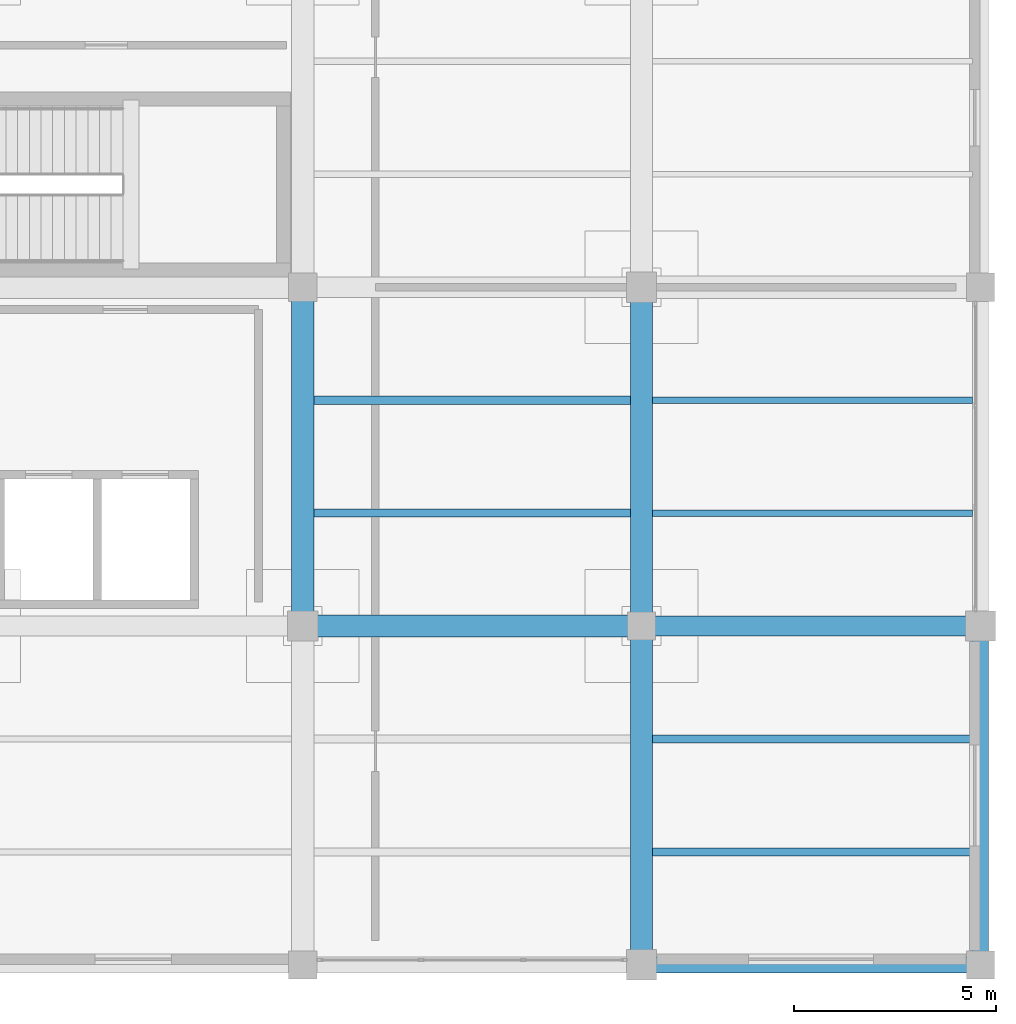
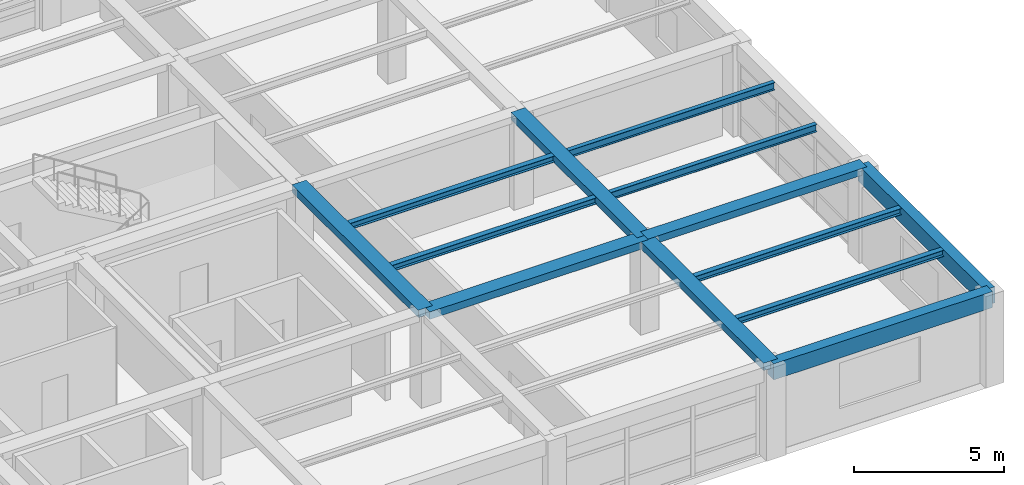
# One storey, part 11 of 26: 13 beams.
"""IFC4 building model written with IfcOpenShell, lengths in metres."""

from ifc_helpers import new_model, si_unit, direction, frame, origin, origin_2d, place, context, subcontext, project, spatial, rectangle, i_section, extrude, material, material_profile, profile_set, type_object, element, save


model = new_model("IFC4")

# Units and contexts
model_context = context("Model", 3, precision=1e-05, world=origin(), true_north=direction((0.0, 1.0)))
body_context = subcontext(model_context, "Body", "Model", "MODEL_VIEW")
ifc_project = project(units=[si_unit("LENGTHUNIT", "METRE"), si_unit("AREAUNIT", "SQUARE_METRE"), si_unit("VOLUMEUNIT", "CUBIC_METRE"), si_unit("PLANEANGLEUNIT", "RADIAN"), si_unit("MASSUNIT", "GRAM", prefix="KILO")], contexts=[model_context])

# Site, building, storey
site_placement = place(None, origin())
site = spatial("IfcSite", under=ifc_project, at=site_placement, CompositionType="ELEMENT")
building_placement = place(site_placement, origin())
building = spatial("IfcBuilding", under=site, at=building_placement, Name="Almacenes y Pasaje Nevantli", CompositionType="ELEMENT")
storey_placement = place(building_placement, frame((0.0, 0.0, 30.699951171875)))
storey = spatial("IfcBuildingStorey", under=building, at=storey_placement, Name="L07", CompositionType="ELEMENT", Elevation=30.699951171875)

# Beams
ifc_material_1 = material(Name="Concrete C35/45", Category="concrete")
ifc_material_profile_1 = material_profile(ifc_material_1, rectangle(XDim=0.39990234375, YDim=0.64990234375, at=origin_2d()), Name="RC-BM-400x650")
ifc_profile_set_1 = profile_set([ifc_material_profile_1], Name="Concrete C35/45")
beam_type_1 = type_object("IfcBeamType", Name="BM-RC-400x650", PredefinedType="SPANDREL", material=ifc_profile_set_1)
for number, where, z_axis, x_axis, name in (
    (1, (151.199951171875, 67.199951171875, 3.39501953125), (1.0, 0.0, 0.0), (0.0, 1.0, 0.0), "L07 East-West Reinforced Concrete Beam #3634"),
    (2, (159.60009765625, 67.199951171875, 3.39501953125), (0.0, 1.0, 0.0), (-1.0, 0.0, 0.0), "L07 North-South Reinforced Concrete Beam #3681"),
):
    element("IfcBeam", number, at=place(storey_placement, frame(where, z_axis=z_axis, x_axis=x_axis)), inside=storey, type_object=beam_type_1, Name=name, PredefinedType="SPANDREL", context=body_context, shape_type="SweptSolid", body=[
        extrude(rectangle(XDim=0.39990234375, YDim=0.64990234375, at=origin_2d()), origin(), (0.0, 0.0, 1.0), 8.400146484375),
    ])
ifc_material_2 = material(Name="Concrete C35/45", Category="concrete")
ifc_material_profile_2 = material_profile(ifc_material_2, rectangle(XDim=0.5, YDim=0.280029296875, at=origin_2d()), Name="RC-BM-500x280")
ifc_profile_set_2 = profile_set([ifc_material_profile_2], Name="Concrete C35/45")
beam_type_2 = type_object("IfcBeamType", Name="BM-RC-500x280", PredefinedType="BEAM", material=ifc_profile_set_2)
beam_1_placement = place(storey_placement, frame((151.199951171875, 75.60009765625, 3.580078125), z_axis=(1.0, 0.0, 0.0), x_axis=(0.0, 1.0, 0.0)))
element("IfcBeam", 3, at=beam_1_placement, inside=storey, type_object=beam_type_2, Name="L07 East-West Reinforced Concrete Beam #3640", PredefinedType="BEAM", context=body_context, shape_type="SweptSolid", body=[
    extrude(rectangle(XDim=0.5, YDim=0.280029296875, at=origin_2d()), origin(), (0.0, 0.0, 1.0), 8.400146484375),
])
ifc_material_3 = material(Name="Concrete C35/45", Category="concrete")
ifc_material_profile_3 = material_profile(ifc_material_3, rectangle(XDim=0.550048828125, YDim=0.300048828125, at=origin_2d()), Name="RC-BM-550x300")
ifc_profile_set_3 = profile_set([ifc_material_profile_3], Name="Concrete C35/45")
beam_type_3 = type_object("IfcBeamType", Name="BM-RC-550x300", PredefinedType="BEAM", material=ifc_profile_set_3)
for number, where, z_axis, x_axis, name in (
    (4, (142.800048828125, 75.60009765625, 3.570068359375), (1.0, 0.0, 0.0), (0.0, 1.0, 0.0), "L07 East-West Reinforced Concrete Beam #3639"),
    (5, (142.800048828125, 75.60009765625, 3.570068359375), (0.0, 1.0, 0.0), (-1.0, 0.0, 0.0), "L07 North-South Reinforced Concrete Beam #3674"),
):
    element("IfcBeam", number, at=place(storey_placement, frame(where, z_axis=z_axis, x_axis=x_axis)), inside=storey, type_object=beam_type_3, Name=name, PredefinedType="BEAM", context=body_context, shape_type="SweptSolid", body=[
        extrude(rectangle(XDim=0.550048828125, YDim=0.300048828125, at=origin_2d()), origin(), (0.0, 0.0, 1.0), 8.39990234375),
    ])
beam_2_placement = place(storey_placement, frame((151.199951171875, 67.199951171875, 3.570068359375), z_axis=(0.0, 1.0, 0.0), x_axis=(-1.0, 0.0, 0.0)))
element("IfcBeam", 6, at=beam_2_placement, inside=storey, type_object=beam_type_3, Name="L07 North-South Reinforced Concrete Beam #3677", PredefinedType="BEAM", context=body_context, shape_type="SweptSolid", body=[
    extrude(rectangle(XDim=0.550048828125, YDim=0.300048828125, at=origin_2d()), origin(), (0.0, 0.0, 1.0), 8.400146484375),
])
beam_3_placement = place(storey_placement, frame((151.199951171875, 75.60009765625, 3.570068359375), z_axis=(0.0, 1.0, 0.0), x_axis=(-1.0, 0.0, 0.0)))
element("IfcBeam", 7, at=beam_3_placement, inside=storey, type_object=beam_type_3, Name="L07 North-South Reinforced Concrete Beam #3678", PredefinedType="BEAM", context=body_context, shape_type="SweptSolid", body=[
    extrude(rectangle(XDim=0.550048828125, YDim=0.300048828125, at=origin_2d()), origin(), (0.0, 0.0, 1.0), 8.39990234375),
])
ifc_material_4 = material(Name="Steel ASTM A992", Category="steel")
ifc_material_profile_4 = material_profile(ifc_material_4, i_section(OverallWidth=0.2041015625, OverallDepth=0.258056640625, WebThickness=0.008056640625, FlangeThickness=0.013427734375, at=origin_2d()), Name="IR 254x58.0")
ifc_profile_set_4 = profile_set([ifc_material_profile_4], Name="Steel ASTM A992")
beam_type_4 = type_object("IfcBeamType", Name="BM-STL-IR-254x58p0", PredefinedType="JOIST", material=ifc_profile_set_4)
for number, where, z_axis, x_axis, name in (
    (8, (143.074951171875, 78.39990234375, 3.5830078125), (1.0, 0.0, 0.0), (0.0, 1.0, 0.0), "L07 Secondary Steel Floor Joist #1407"),
    (9, (143.074951171875, 81.199951171875, 3.5830078125), (1.0, 0.0, 0.0), (0.0, 1.0, 0.0), "L07 Secondary Steel Floor Joist #1408"),
):
    element("IfcBeam", number, at=place(storey_placement, frame(where, z_axis=z_axis, x_axis=x_axis)), inside=storey, type_object=beam_type_4, Name=name, PredefinedType="JOIST", context=body_context, shape_type="SweptSolid", body=[
        extrude(i_section(OverallWidth=0.2041015625, OverallDepth=0.258056640625, WebThickness=0.008056640625, FlangeThickness=0.013427734375, at=origin_2d()), origin(), (0.0, 0.0, 1.0), 7.85009765625),
    ])
for number, where, z_axis, x_axis, name in (
    (10, (151.47509765625, 70.0, 3.5830078125), (1.0, 0.0, 0.0), (0.0, 1.0, 0.0), "L07 Secondary Steel Floor Joist #1413"),
    (11, (151.47509765625, 72.800048828125, 3.5830078125), (1.0, 0.0, 0.0), (0.0, 1.0, 0.0), "L07 Secondary Steel Floor Joist #1414"),
):
    element("IfcBeam", number, at=place(storey_placement, frame(where, z_axis=z_axis, x_axis=x_axis)), inside=storey, type_object=beam_type_4, Name=name, PredefinedType="JOIST", context=body_context, shape_type="SweptSolid", body=[
        extrude(i_section(OverallWidth=0.2041015625, OverallDepth=0.258056640625, WebThickness=0.008056640625, FlangeThickness=0.013427734375, at=origin_2d()), origin(), (0.0, 0.0, 1.0), 7.9248046875),
    ])
ifc_material_5 = material(Name="Steel ASTM A992", Category="steel")
ifc_material_profile_5 = material_profile(ifc_material_5, i_section(OverallWidth=0.1650390625, OverallDepth=0.306884765625, WebThickness=0.006591796875, FlangeThickness=0.01025390625, at=origin_2d()), Name="IR 305x44.6")
ifc_profile_set_5 = profile_set([ifc_material_profile_5], Name="Steel ASTM A992")
beam_type_5 = type_object("IfcBeamType", Name="BM-STL-IR-305x44p6", PredefinedType="JOIST", material=ifc_profile_set_5)
for number, where, z_axis, x_axis, name in (
    (12, (151.47509765625, 78.39990234375, 3.55859375), (1.0, 0.0, 0.0), (0.0, 1.0, 0.0), "L07 Secondary Steel Floor Joist #1415"),
    (13, (151.47509765625, 81.199951171875, 3.55859375), (1.0, 0.0, 0.0), (0.0, 1.0, 0.0), "L07 Secondary Steel Floor Joist #1416"),
):
    element("IfcBeam", number, at=place(storey_placement, frame(where, z_axis=z_axis, x_axis=x_axis)), inside=storey, type_object=beam_type_5, Name=name, PredefinedType="JOIST", context=body_context, shape_type="SweptSolid", body=[
        extrude(i_section(OverallWidth=0.1650390625, OverallDepth=0.306884765625, WebThickness=0.006591796875, FlangeThickness=0.01025390625, at=origin_2d()), origin(), (0.0, 0.0, 1.0), 7.9248046875),
    ])

save(model, "model.ifc")
